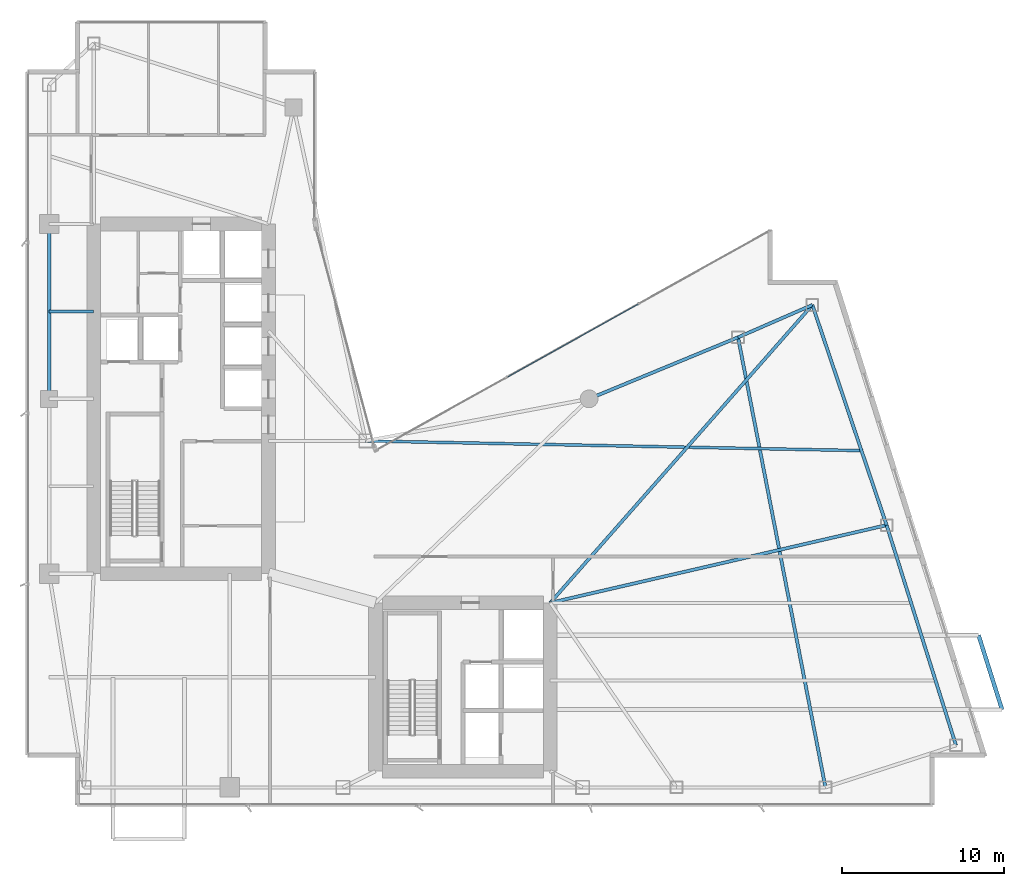
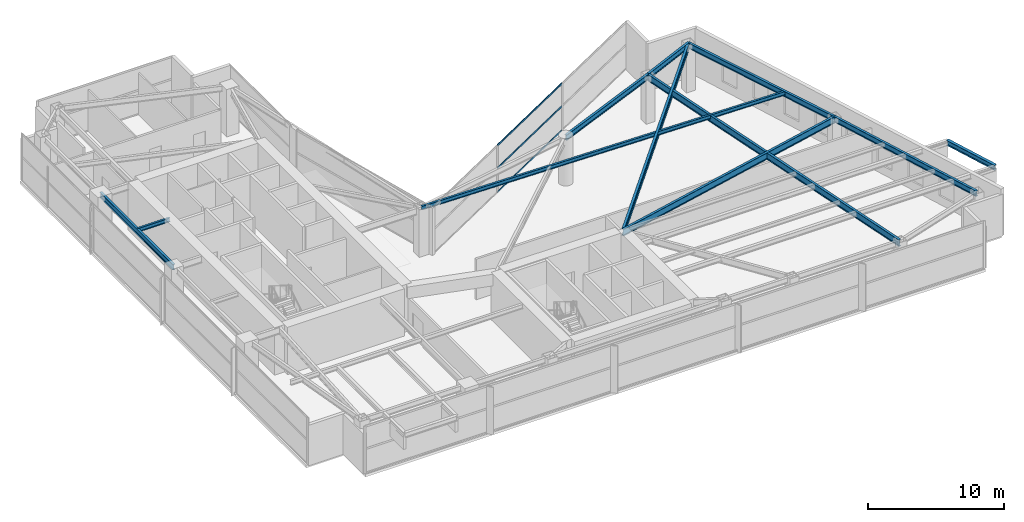
# One storey, part 14 of 26: 11 beams, 3 members, 1 element without a shape of its own.
"""IFC4 building model written with IfcOpenShell, lengths in metres."""

from ifc_helpers import new_model, si_unit, direction, frame, origin, origin_2d, place, context, subcontext, project, spatial, hollow_rectangle, i_section, extrude, material, layer, layer_set, material_profile, profile_set, type_object, element, aggregate, save


model = new_model("IFC4")

# Units and contexts
model_context = context("Model", 3, precision=1e-05, world=origin(), true_north=direction((0.0, 1.0)))
body_context = subcontext(model_context, "Body", "Model", "MODEL_VIEW")
ifc_project = project(units=[si_unit("LENGTHUNIT", "METRE"), si_unit("AREAUNIT", "SQUARE_METRE"), si_unit("VOLUMEUNIT", "CUBIC_METRE"), si_unit("PLANEANGLEUNIT", "RADIAN"), si_unit("MASSUNIT", "GRAM", prefix="KILO")], contexts=[model_context])

# Site, building, storey
site_placement = place(None, origin())
site = spatial("IfcSite", under=ifc_project, at=site_placement, CompositionType="ELEMENT")
building_placement = place(site_placement, origin())
building = spatial("IfcBuilding", under=site, at=building_placement, Name="Calvorn Quay Hotel", CompositionType="ELEMENT")
storey_placement = place(building_placement, frame((0.0, 0.0, 144.0)))
storey = spatial("IfcBuildingStorey", under=building, at=storey_placement, Name="L35", CompositionType="ELEMENT", Elevation=144.0)

# Beams
ifc_material_1 = material(Name="Steel Q355B", Category="steel")
ifc_material_profile_1 = material_profile(ifc_material_1, i_section(OverallWidth=0.25, OverallDepth=0.449951171875, WebThickness=0.011962890625, FlangeThickness=0.01611328125, FilletRadius=0.01611328125, at=origin_2d()), Name="HN450x250x12x16")
ifc_profile_set_1 = profile_set([ifc_material_profile_1], Name="Steel Q355B")
beam_type_1 = type_object("IfcBeamType", Name="BM-CANT-BALC", PredefinedType="BEAM", material=ifc_profile_set_1)
beam_1_placement = place(storey_placement, frame((60.30810546875, 8.39990234375, 4.014892578125), z_axis=(-0.300666214801, 0.953729430854, 0.0), x_axis=(-0.953729430854, -0.300666214801, 0.0)))
element("IfcBeam", 1, at=beam_1_placement, inside=storey, type_object=beam_type_1, Name="Beam BCBO-L36-1", PredefinedType="BEAM", context=body_context, shape_type="SweptSolid", body=[
    extrude(i_section(OverallWidth=0.25, OverallDepth=0.449951171875, WebThickness=0.011962890625, FlangeThickness=0.01611328125, FilletRadius=0.01611328125, at=origin_2d()), origin(), (0.0, 0.0, 1.0), 4.8232421875),
])
ifc_material_2 = material(Name="Steel Q355B", Category="steel")
ifc_material_profile_2 = material_profile(ifc_material_2, i_section(OverallWidth=0.199951171875, OverallDepth=0.60009765625, WebThickness=0.010986328125, FlangeThickness=0.01708984375, FilletRadius=0.01806640625, at=origin_2d()), Name="HN600x200x11x17")
ifc_profile_set_2 = profile_set([ifc_material_profile_2], Name="Steel Q355B")
beam_type_2 = type_object("IfcBeamType", Name="BM-GIRD-TYP", PredefinedType="BEAM", material=ifc_profile_set_2)
beam_2_placement = place(storey_placement, frame((32.39990234375, 15.0, 3.93994140625), z_axis=(0.974334045812, 0.225107012711, 0.0), x_axis=(-0.225107012711, 0.974334045812, 0.0)))
element("IfcBeam", 2, at=beam_2_placement, inside=storey, type_object=beam_type_2, Name="Beam BG-L35-E2", PredefinedType="BEAM", context=body_context, shape_type="SweptSolid", body=[
    extrude(i_section(OverallWidth=0.199951171875, OverallDepth=0.60009765625, WebThickness=0.010986328125, FlangeThickness=0.01708984375, FilletRadius=0.01806640625, at=origin_2d()), origin(), (0.0, 0.0, 1.0), 21.323486328125),
])
beam_3_placement = place(storey_placement, frame((32.39990234375, 15.0, 3.93994140625), z_axis=(0.660610604248, 0.750728732336, 0.0), x_axis=(-0.750728732336, 0.660610604248, 0.0)))
element("IfcBeam", 3, at=beam_3_placement, inside=storey, type_object=beam_type_2, Name="Beam BG-L35-E3", PredefinedType="BEAM", context=body_context, shape_type="SweptSolid", body=[
    extrude(i_section(OverallWidth=0.199951171875, OverallDepth=0.60009765625, WebThickness=0.010986328125, FlangeThickness=0.01708984375, FilletRadius=0.01806640625, at=origin_2d()), origin(), (0.0, 0.0, 1.0), 24.50927734375),
])
beam_4_placement = place(storey_placement, frame((49.39990234375, 3.60009765625, 3.93994140625), z_axis=(-0.190678596862, 0.981652521363, 0.0), x_axis=(-0.981652521363, -0.190678596862, 0.0)))
element("IfcBeam", 4, at=beam_4_placement, inside=storey, type_object=beam_type_2, Name="Beam BG-L35-E5", PredefinedType="BEAM", context=body_context, shape_type="SweptSolid", body=[
    extrude(i_section(OverallWidth=0.199951171875, OverallDepth=0.60009765625, WebThickness=0.010986328125, FlangeThickness=0.01708984375, FilletRadius=0.01806640625, at=origin_2d()), origin(), (0.0, 0.0, 1.0), 28.3193359375),
])
ifc_material_3 = material(Name="Steel Q355B", Category="steel")
ifc_material_profile_3 = material_profile(ifc_material_3, i_section(OverallWidth=0.175048828125, OverallDepth=0.35009765625, WebThickness=0.007080078125, FlangeThickness=0.010986328125, FilletRadius=0.013916015625, at=origin_2d()), Name="HN350x175x7x11")
ifc_profile_set_3 = profile_set([ifc_material_profile_3], Name="Steel Q355B")
beam_type_3 = type_object("IfcBeamType", Name="BM-JOIST-SEC", PredefinedType="JOIST", material=ifc_profile_set_3)
beam_5_placement = place(storey_placement, frame((1.449951171875, 33.0, 4.06494140625), z_axis=(1.0, 0.0, 0.0), x_axis=(0.0, 1.0, 0.0)))
element("IfcBeam", 5, at=beam_5_placement, inside=storey, type_object=beam_type_3, Name="Beam BJ-L35-W4", PredefinedType="JOIST", context=body_context, shape_type="SweptSolid", body=[
    extrude(i_section(OverallWidth=0.175048828125, OverallDepth=0.35009765625, WebThickness=0.007080078125, FlangeThickness=0.010986328125, FilletRadius=0.013916015625, at=origin_2d()), origin(), (0.0, 0.0, 1.0), 2.75),
])
beam_6_placement = place(storey_placement, frame((21.0, 25.0, 4.06494140625), z_axis=(0.999809345134, -0.019526222968, 0.0), x_axis=(0.019526222968, 0.999809345134, 0.0)))
element("IfcBeam", 6, at=beam_6_placement, inside=storey, type_object=beam_type_3, Name="Beam BJ-L35-E3", PredefinedType="JOIST", context=body_context, shape_type="SweptSolid", body=[
    extrude(i_section(OverallWidth=0.175048828125, OverallDepth=0.35009765625, WebThickness=0.007080078125, FlangeThickness=0.010986328125, FilletRadius=0.013916015625, at=origin_2d()), origin(), (0.0, 0.0, 1.0), 30.73291015625),
])
ifc_material_4 = material(Name="Steel Q355B", Category="steel")
ifc_material_profile_4 = material_profile(ifc_material_4, i_section(OverallWidth=0.199951171875, OverallDepth=0.5, WebThickness=0.010009765625, FlangeThickness=0.01611328125, FilletRadius=0.01611328125, at=origin_2d()), Name="HN500x200x10x16")
ifc_profile_set_4 = profile_set([ifc_material_profile_4], Name="Steel Q355B")
beam_type_4 = type_object("IfcBeamType", Name="BM-SPANDREL-Z1", PredefinedType="SPANDREL", material=ifc_profile_set_4)
beam_7_placement = place(storey_placement, frame((1.449951171875, 27.60009765625, 3.989990234375), z_axis=(0.0, 1.0, 0.0), x_axis=(-1.0, 0.0, 0.0)))
element("IfcBeam", 7, at=beam_7_placement, inside=storey, type_object=beam_type_4, Name="Beam BSP-L35-W3", PredefinedType="SPANDREL", context=body_context, shape_type="SweptSolid", body=[
    extrude(i_section(OverallWidth=0.199951171875, OverallDepth=0.5, WebThickness=0.010009765625, FlangeThickness=0.01611328125, FilletRadius=0.01611328125, at=origin_2d()), origin(), (0.0, 0.0, 1.0), 10.7998046875),
])
beam_8_placement = place(storey_placement, frame((57.4609375, 6.199951171875, 3.989990234375), z_axis=(-0.300502802767, 0.953780931624, 0.0), x_axis=(-0.953780931624, -0.300502802767, 0.0)))
element("IfcBeam", 8, at=beam_8_placement, inside=storey, type_object=beam_type_4, Name="Beam BSP-L35-E1", PredefinedType="SPANDREL", context=body_context, shape_type="SweptSolid", body=[
    extrude(i_section(OverallWidth=0.199951171875, OverallDepth=0.5, WebThickness=0.010009765625, FlangeThickness=0.01611328125, FilletRadius=0.01611328125, at=origin_2d()), origin(), (0.0, 0.0, 1.0), 14.259033203125),
])
beam_9_placement = place(storey_placement, frame((53.176025390625, 19.800048828125, 3.989990234375), z_axis=(-0.319466515944, 0.947597564998, 0.0), x_axis=(-0.947597564998, -0.319466515944, 0.0)))
element("IfcBeam", 9, at=beam_9_placement, inside=storey, type_object=beam_type_4, Name="Beam BSP-L35-E2", PredefinedType="SPANDREL", context=body_context, shape_type="SweptSolid", body=[
    extrude(i_section(OverallWidth=0.199951171875, OverallDepth=0.5, WebThickness=0.010009765625, FlangeThickness=0.01611328125, FilletRadius=0.01611328125, at=origin_2d()), origin(), (0.0, 0.0, 1.0), 14.35205078125),
])
beam_10_placement = place(storey_placement, frame((48.591064453125, 33.39990234375, 3.989990234375), z_axis=(-0.916786146489, -0.399378469132, 0.0), x_axis=(0.399378469132, -0.916786146489, 0.0)))
element("IfcBeam", 10, at=beam_10_placement, inside=storey, type_object=beam_type_4, Name="Beam BSP-L35-E3", PredefinedType="SPANDREL", context=body_context, shape_type="SweptSolid", body=[
    extrude(i_section(OverallWidth=0.199951171875, OverallDepth=0.5, WebThickness=0.010009765625, FlangeThickness=0.01611328125, FilletRadius=0.01611328125, at=origin_2d()), origin(), (0.0, 0.0, 1.0), 5.0078125),
])
beam_11_placement = place(storey_placement, frame((44.0, 31.39990234375, 3.989990234375), z_axis=(-0.92426763497, -0.381745123017, 0.0), x_axis=(0.381745123017, -0.92426763497, 0.0)))
element("IfcBeam", 11, at=beam_11_placement, inside=storey, type_object=beam_type_4, Name="Beam BSP-L35-E4", PredefinedType="SPANDREL", context=body_context, shape_type="SweptSolid", body=[
    extrude(i_section(OverallWidth=0.199951171875, OverallDepth=0.5, WebThickness=0.010009765625, FlangeThickness=0.01611328125, FilletRadius=0.01611328125, at=origin_2d()), origin(), (0.0, 0.0, 1.0), 9.953857421875),
])

# Curtain wall, members
ifc_material_5 = material(Name="Pale Anodised Aluminium and Low-E Glass", Category="aluminium")
ifc_layer = layer(ifc_material_5, 0.219970703125)
ifc_layer_set = layer_set([ifc_layer], Name="CW-SYS-Z2")
curtain_wall_type = type_object("IfcCurtainWallType", Name="CW-SYS-Z2", PredefinedType="NOTDEFINED", material=ifc_layer_set)
curtain_wall_placement = place(storey_placement, origin())
curtain_wall = element("IfcCurtainWall", 12, at=curtain_wall_placement, inside=storey, type_object=curtain_wall_type, Name="Inner Court Curtain Wall L35-NE1", PredefinedType="NOTDEFINED")
ifc_material_6 = material(Name="Pale Anodised Aluminium 6063-T6", Category="aluminium")
ifc_material_profile_5 = material_profile(ifc_material_6, hollow_rectangle(XDim=0.06005859375, YDim=0.14990234375, WallThickness=0.00341796875, at=origin_2d()), Name="ALU-T150x60x3.5")
ifc_profile_set_5 = profile_set([ifc_material_profile_5], Name="Pale Anodised Aluminium 6063-T6")
member_type = type_object("IfcMemberType", Name="CW-SYS-Z2-TRN", PredefinedType="USERDEFINED", material=ifc_profile_set_5)
member_1_placement = place(storey_placement, frame((37.840576171875, 33.4521484375, 0.030029296875), z_axis=(-0.873483012802, -0.486854625474, 0.0), x_axis=(0.486854625474, -0.873483012802, 0.0)))
member_1 = element("IfcMember", 13, at=member_1_placement, type_object=member_type, Name="CW-L35-NE1 transom 2.1", ObjectType="TRANSOM", PredefinedType="USERDEFINED", context=body_context, shape_type="SweptSolid", body=[
    extrude(hollow_rectangle(XDim=0.06005859375, YDim=0.14990234375, WallThickness=0.00341796875, at=origin_2d()), origin(), (0.0, 0.0, 1.0), 9.25146484375),
])
member_2_placement = place(storey_placement, frame((37.840576171875, 33.4521484375, 2.199951171875), z_axis=(-0.873483012802, -0.486854625474, 0.0), x_axis=(0.486854625474, -0.873483012802, 0.0)))
member_2 = element("IfcMember", 14, at=member_2_placement, type_object=member_type, Name="CW-L35-NE1 transom 2.2", ObjectType="TRANSOM", PredefinedType="USERDEFINED", context=body_context, shape_type="SweptSolid", body=[
    extrude(hollow_rectangle(XDim=0.06005859375, YDim=0.14990234375, WallThickness=0.00341796875, at=origin_2d()), origin(), (0.0, 0.0, 1.0), 9.25146484375),
])
member_3_placement = place(storey_placement, frame((37.840576171875, 33.4521484375, 4.22998046875), z_axis=(-0.873483012802, -0.486854625474, 0.0), x_axis=(0.486854625474, -0.873483012802, 0.0)))
member_3 = element("IfcMember", 15, at=member_3_placement, type_object=member_type, Name="CW-L35-NE1 transom 2.3", ObjectType="TRANSOM", PredefinedType="USERDEFINED", context=body_context, shape_type="SweptSolid", body=[
    extrude(hollow_rectangle(XDim=0.06005859375, YDim=0.14990234375, WallThickness=0.00341796875, at=origin_2d()), origin(), (0.0, 0.0, 1.0), 9.25146484375),
])
aggregate(curtain_wall, [member_1, member_2, member_3])

save(model, "model.ifc")
